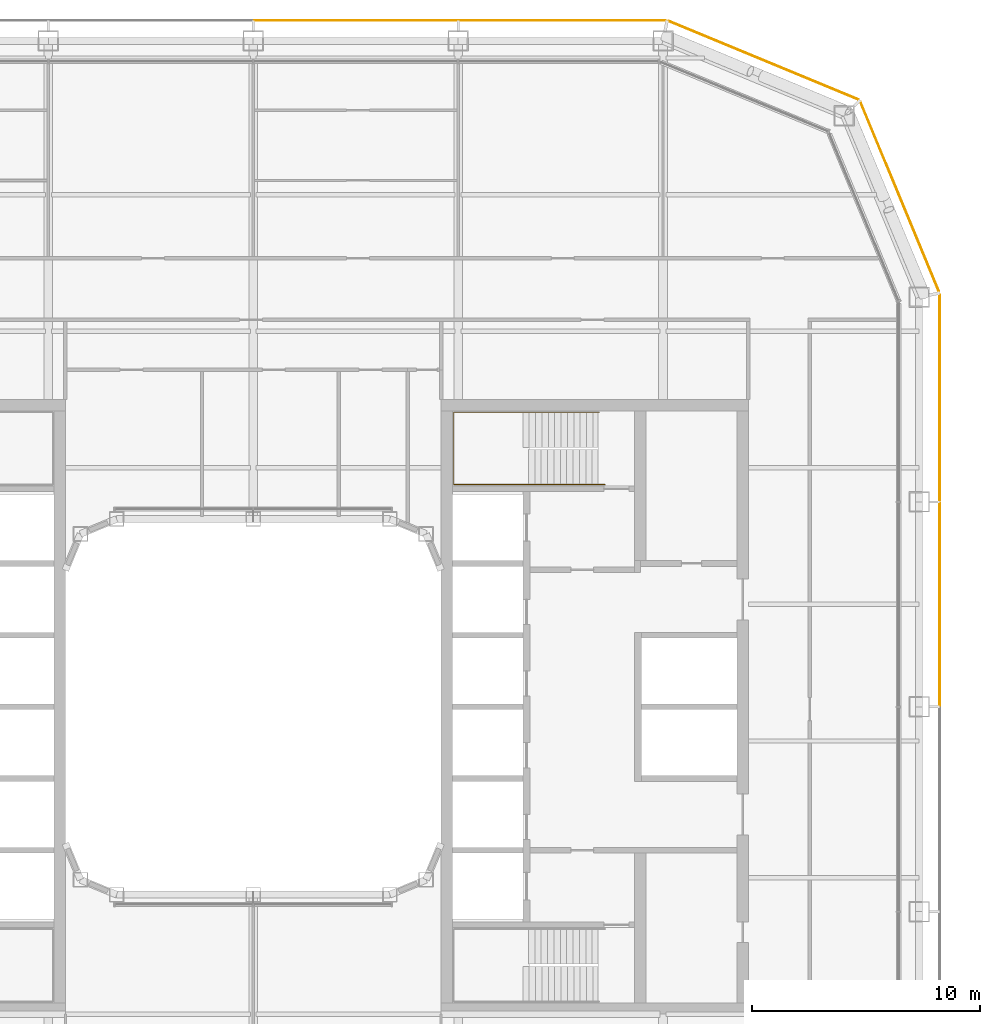
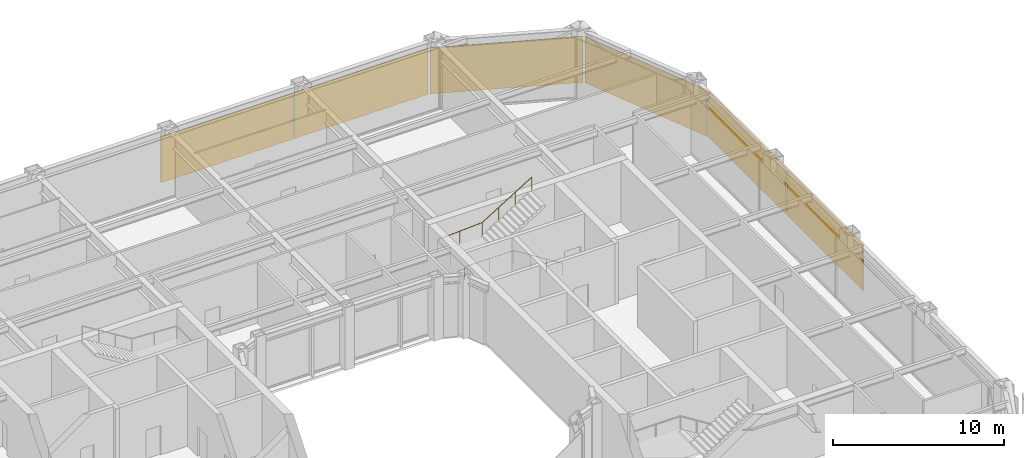
# One storey, part 22 of 23: 6 coverings, 1 railing.
"""IFC4 building model written with IfcOpenShell, lengths in metres."""

from ifc_helpers import new_model, si_unit, direction, frame, origin, origin_2d, place, context, subcontext, project, spatial, rectangle, circle, extrude, material, layer, layer_set, type_object, element, save


model = new_model("IFC4")

# Units and contexts
model_context = context("Model", 3, precision=1e-05, world=origin(), true_north=direction((0.0, 1.0)))
body_context = subcontext(model_context, "Body", "Model", "MODEL_VIEW")
ifc_project = project(units=[si_unit("LENGTHUNIT", "METRE"), si_unit("AREAUNIT", "SQUARE_METRE"), si_unit("VOLUMEUNIT", "CUBIC_METRE"), si_unit("PLANEANGLEUNIT", "RADIAN"), si_unit("MASSUNIT", "GRAM", prefix="KILO")], contexts=[model_context])

# Site, building, storey
site_placement = place(None, origin())
site = spatial("IfcSite", under=ifc_project, at=site_placement, CompositionType="ELEMENT")
building_placement = place(site_placement, origin())
building = spatial("IfcBuilding", under=site, at=building_placement, Name="Siwar Civic Tower", CompositionType="ELEMENT")
storey_placement = place(building_placement, frame((0.0, 0.0, 145.199951171875)))
storey = spatial("IfcBuildingStorey", under=building, at=storey_placement, Name="L31", CompositionType="ELEMENT", Elevation=145.199951171875)

# Railing
ifc_material_1 = material(Name="Stainless steel", Category="steel")
railing_type = type_object("IfcRailingType", Name="CORE-STAIR-HANDRAIL", PredefinedType="HANDRAIL", material=ifc_material_1)
railing_placement = place(storey_placement, frame((15.449951171875, 9.758056640625, 0.173095703125)))
element("IfcRailing", 1, at=railing_placement, inside=storey, type_object=railing_type, Name="Stair handrail ST3", PredefinedType="HANDRAIL", context=body_context, shape_type="SweptSolid", body=[
    extrude(circle(Radius=0.02001953125, at=origin_2d()), frame((0.0, 0.0, 0.8798828125), z_axis=(-0.847063342986, 0.0, 0.531491950051), x_axis=(0.0, -1.0, 0.0)), (0.0, 0.0, 1.0), 3.90771484375),
    extrude(circle(Radius=0.02001953125, at=origin_2d()), frame((-3.31005859375, 0.0, 2.956787109375), z_axis=(-1.0, 0.0, 0.0), x_axis=(0.0, -1.0, 0.0)), (0.0, 0.0, 1.0), 3.331787109375),
    extrude(circle(Radius=0.02001953125, at=origin_2d()), frame((-6.641845703125, 0.0, 2.956787109375), z_axis=(0.0, 1.0, 0.0), x_axis=(-1.0, 0.0, 0.0)), (0.0, 0.0, 1.0), 3.183837890625),
    extrude(circle(Radius=0.02001953125, at=origin_2d()), frame((-6.641845703125, 3.183837890625, 2.956787109375), z_axis=(0.99837434197, 0.0, 0.056997134106), x_axis=(0.0, 1.0, 0.0)), (0.0, 0.0, 1.0), 3.036865234375),
    extrude(circle(Radius=0.02001953125, at=origin_2d()), frame((-3.60986328125, 3.183837890625, 3.1298828125), z_axis=(0.850606129759, 0.0, 0.525803396734), x_axis=(0.0, 1.0, 0.0)), (0.0, 0.0, 1.0), 3.949951171875),
    extrude(circle(Radius=0.02001953125, at=origin_2d()), origin(), (0.0, 0.0, 1.0), 0.85986328125),
    extrude(circle(Radius=0.02001953125, at=origin_2d()), frame((-1.103271484375, 0.0, 0.6923828125)), (0.0, 0.0, 1.0), 0.85986328125),
    extrude(circle(Radius=0.02001953125, at=origin_2d()), frame((-2.206787109375, 0.0, 1.384521484375)), (0.0, 0.0, 1.0), 0.85986328125),
    extrude(circle(Radius=0.02001953125, at=origin_2d()), frame((-3.31005859375, 0.0, 2.076904296875)), (0.0, 0.0, 1.0), 0.85986328125),
    extrude(circle(Radius=0.02001953125, at=origin_2d()), frame((-4.97607421875, 0.0, 2.076904296875)), (0.0, 0.0, 1.0), 0.85986328125),
    extrude(circle(Radius=0.02001953125, at=origin_2d()), frame((-6.641845703125, 0.0, 2.076904296875)), (0.0, 0.0, 1.0), 0.85986328125),
    extrude(circle(Radius=0.02001953125, at=origin_2d()), frame((-6.641845703125, 1.591796875, 2.076904296875)), (0.0, 0.0, 1.0), 0.85986328125),
    extrude(circle(Radius=0.02001953125, at=origin_2d()), frame((-6.641845703125, 3.183837890625, 2.076904296875)), (0.0, 0.0, 1.0), 0.85986328125),
    extrude(circle(Radius=0.02001953125, at=origin_2d()), frame((-5.1259765625, 3.183837890625, 2.16357421875)), (0.0, 0.0, 1.0), 0.85986328125),
    extrude(circle(Radius=0.02001953125, at=origin_2d()), frame((-3.60986328125, 3.183837890625, 2.25)), (0.0, 0.0, 1.0), 0.85986328125),
    extrude(circle(Radius=0.02001953125, at=origin_2d()), frame((-2.489990234375, 3.183837890625, 2.9423828125)), (0.0, 0.0, 1.0), 0.85986328125),
    extrude(circle(Radius=0.02001953125, at=origin_2d()), frame((-1.369873046875, 3.183837890625, 3.634521484375)), (0.0, 0.0, 1.0), 0.85986328125),
    extrude(circle(Radius=0.02001953125, at=origin_2d()), frame((-0.25, 3.183837890625, 4.326904296875)), (0.0, 0.0, 1.0), 0.85986328125),
])

# Coverings
ifc_material_2 = material(Name="Perforated aluminium cassette, pale metal", Category="aluminium")
ifc_layer = layer(ifc_material_2, 0.0400390625)
ifc_layer_set = layer_set([ifc_layer], Name="Perforated aluminium cassette, pale metal")
covering_type = type_object("IfcCoveringType", Name="ENV-OUTER SKIN OS-1", PredefinedType="CLADDING", material=ifc_layer_set)
covering_1_placement = place(storey_placement, frame((30.14990234375, 4.5, -0.14990234375), z_axis=(0.0, 0.0, 1.0), x_axis=(0.0, 1.0, 0.0)))
element("IfcCovering", 2, at=covering_1_placement, inside=storey, type_object=covering_type, Name="OUTER SKIN OS-1 E 3", PredefinedType="CLADDING", context=body_context, shape_type="SweptSolid", body=[
    extrude(rectangle(XDim=8.89990234375, YDim=0.0400390625, at=origin_2d()), origin(), (0.0, 0.0, 1.0), 3.300048828125),
])
covering_2_placement = place(storey_placement, frame((30.14990234375, 13.57958984375, -0.14990234375), z_axis=(0.0, 0.0, 1.0), x_axis=(0.0, 1.0, 0.0)))
element("IfcCovering", 3, at=covering_2_placement, inside=storey, type_object=covering_type, Name="OUTER SKIN OS-1 E 4", PredefinedType="CLADDING", context=body_context, shape_type="SweptSolid", body=[
    extrude(rectangle(XDim=9.05908203125, YDim=0.0400390625, at=origin_2d()), origin(), (0.0, 0.0, 1.0), 3.300048828125),
])
for number, where, z_axis, x_axis, name in (
    (4, (28.39697265625, 22.411376953125, -0.14990234375), (0.0, 0.0, 1.0), (-0.382683432365, 0.923879532511, 0.0), "OUTER SKIN OS-1 NE1 1"),
    (5, (22.411376953125, 28.39697265625, -0.14990234375), (0.0, 0.0, 1.0), (-0.923879532511, 0.382683432365, 0.0), "OUTER SKIN OS-1 NE2 1"),
):
    element("IfcCovering", number, at=place(storey_placement, frame(where, z_axis=z_axis, x_axis=x_axis)), inside=storey, type_object=covering_type, Name=name, PredefinedType="CLADDING", context=body_context, shape_type="SweptSolid", body=[
        extrude(rectangle(XDim=9.022216796875, YDim=0.0400390625, at=origin_2d()), origin(), (0.0, 0.0, 1.0), 3.300048828125),
    ])
covering_3_placement = place(storey_placement, frame((13.57958984375, 30.14990234375, -0.14990234375), z_axis=(0.0, 0.0, 1.0), x_axis=(-1.0, 0.0, 0.0)))
element("IfcCovering", 6, at=covering_3_placement, inside=storey, type_object=covering_type, Name="OUTER SKIN OS-1 N 1", PredefinedType="CLADDING", context=body_context, shape_type="SweptSolid", body=[
    extrude(rectangle(XDim=9.05908203125, YDim=0.0400390625, at=origin_2d()), origin(), (0.0, 0.0, 1.0), 3.300048828125),
])
covering_4_placement = place(storey_placement, frame((4.5, 30.14990234375, -0.14990234375), z_axis=(0.0, 0.0, 1.0), x_axis=(-1.0, 0.0, 0.0)))
element("IfcCovering", 7, at=covering_4_placement, inside=storey, type_object=covering_type, Name="OUTER SKIN OS-1 N 2", PredefinedType="CLADDING", context=body_context, shape_type="SweptSolid", body=[
    extrude(rectangle(XDim=8.89990234375, YDim=0.0400390625, at=origin_2d()), origin(), (0.0, 0.0, 1.0), 3.300048828125),
])

save(model, "model.ifc")
